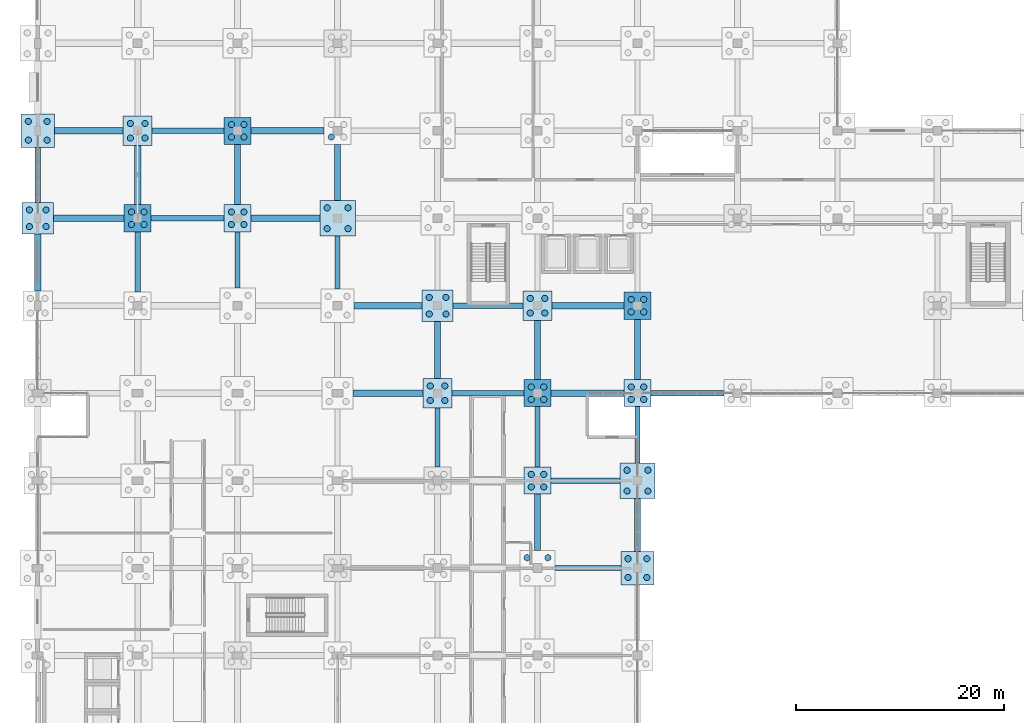
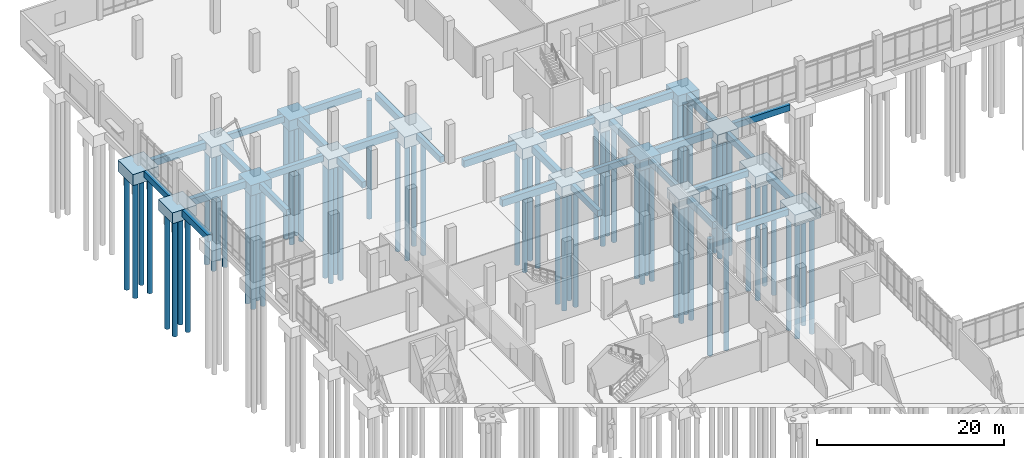
# One storey, part 7 of 136: 67 piles, 47 footings.
"""IFC4 building model written with IfcOpenShell, lengths in metres."""

from ifc_helpers import new_model, si_unit, direction, frame, origin, origin_2d, place, context, subcontext, project, spatial, rectangle, circle, extrude, material, material_profile, profile_set, type_object, element, save


model = new_model("IFC4")

# Units and contexts
model_context = context("Model", 3, precision=1e-05, world=origin(), true_north=direction((0.0, 1.0)))
body_context = subcontext(model_context, "Body", "Model", "MODEL_VIEW")
ifc_project = project(units=[si_unit("LENGTHUNIT", "METRE"), si_unit("AREAUNIT", "SQUARE_METRE"), si_unit("VOLUMEUNIT", "CUBIC_METRE"), si_unit("PLANEANGLEUNIT", "RADIAN"), si_unit("MASSUNIT", "GRAM", prefix="KILO")], contexts=[model_context])

# Site, building, storey
site_placement = place(None, origin())
site = spatial("IfcSite", under=ifc_project, at=site_placement, CompositionType="ELEMENT")
building_placement = place(site_placement, origin())
building = spatial("IfcBuilding", under=site, at=building_placement, Name="Oolite Switchyard Hospital", CompositionType="ELEMENT")
storey_placement = place(building_placement, origin())
storey = spatial("IfcBuildingStorey", under=building, at=storey_placement, Name="L00", CompositionType="ELEMENT", Elevation=0.0)

# Footings
ifc_material = material(Name="Concrete C40/50", Category="concrete")
footing_type_1 = type_object("IfcFootingType", Name="FTG-GB500X800", PredefinedType="FOOTING_BEAM", material=ifc_material)
footing_1_placement = place(storey_placement, frame((52.85009765625, 67.199951171875, -1.14990234375), z_axis=(0.0, 0.0, 1.0), x_axis=(1.0, 0.0, 0.0)))
element("IfcFooting", 1, at=footing_1_placement, inside=storey, type_object=footing_type_1, Name="L00 Grade Beam 116", PredefinedType="FOOTING_BEAM", context=body_context, shape_type="SweptSolid", body=[
    extrude(rectangle(XDim=6.300048828125, YDim=0.5, at=origin_2d()), origin(), (0.0, 0.0, 1.0), 0.800048828125),
])
footing_2_placement = place(storey_placement, frame((52.60009765625, 75.60009765625, -1.14990234375), z_axis=(0.0, 0.0, 1.0), x_axis=(1.0, 0.0, 0.0)))
element("IfcFooting", 2, at=footing_2_placement, inside=storey, type_object=footing_type_1, Name="L00 Grade Beam 132", PredefinedType="FOOTING_BEAM", context=body_context, shape_type="SweptSolid", body=[
    extrude(rectangle(XDim=6.60009765625, YDim=0.5, at=origin_2d()), origin(), (0.0, 0.0, 1.0), 0.800048828125),
])
footing_3_placement = place(storey_placement, frame((43.25, 84.0, -1.14990234375), z_axis=(0.0, 0.0, 1.0), x_axis=(1.0, 0.0, 0.0)))
element("IfcFooting", 3, at=footing_3_placement, inside=storey, type_object=footing_type_1, Name="L00 Grade Beam 146", PredefinedType="FOOTING_BEAM", context=body_context, shape_type="SweptSolid", body=[
    extrude(rectangle(XDim=6.89990234375, YDim=0.5, at=origin_2d()), origin(), (0.0, 0.0, 1.0), 0.800048828125),
])
footing_4_placement = place(storey_placement, frame((62.39990234375, 84.0, -1.14990234375), z_axis=(0.0, 0.0, 1.0), x_axis=(1.0, 0.0, 0.0)))
element("IfcFooting", 4, at=footing_4_placement, inside=storey, type_object=footing_type_1, Name="L00 Grade Beam 148", PredefinedType="FOOTING_BEAM", context=body_context, shape_type="SweptSolid", body=[
    extrude(rectangle(XDim=7.0, YDim=0.5, at=origin_2d()), origin(), (0.0, 0.0, 1.0), 0.800048828125),
])
footing_5_placement = place(storey_placement, frame((43.25, 92.39990234375, -1.14990234375), z_axis=(0.0, 0.0, 1.0), x_axis=(1.0, 0.0, 0.0)))
element("IfcFooting", 5, at=footing_5_placement, inside=storey, type_object=footing_type_1, Name="L00 Grade Beam 164", PredefinedType="FOOTING_BEAM", context=body_context, shape_type="SweptSolid", body=[
    extrude(rectangle(XDim=6.699951171875, YDim=0.5, at=origin_2d()), origin(), (0.0, 0.0, 1.0), 0.800048828125),
])
footing_6_placement = place(storey_placement, frame((14.39990234375, 100.800048828125, -1.14990234375), z_axis=(0.0, 0.0, 1.0), x_axis=(1.0, 0.0, 0.0)))
element("IfcFooting", 6, at=footing_6_placement, inside=storey, type_object=footing_type_1, Name="L00 Grade Beam 176", PredefinedType="FOOTING_BEAM", context=body_context, shape_type="SweptSolid", body=[
    extrude(rectangle(XDim=7.0, YDim=0.5, at=origin_2d()), origin(), (0.0, 0.0, 1.0), 0.800048828125),
])
footing_7_placement = place(storey_placement, frame((14.449951171875, 109.199951171875, -1.14990234375), z_axis=(0.0, 0.0, 1.0), x_axis=(1.0, 0.0, 0.0)))
element("IfcFooting", 7, at=footing_7_placement, inside=storey, type_object=footing_type_1, Name="L00 Grade Beam 198", PredefinedType="FOOTING_BEAM", context=body_context, shape_type="SweptSolid", body=[
    extrude(rectangle(XDim=6.89990234375, YDim=0.5, at=origin_2d()), origin(), (0.0, 0.0, 1.0), 0.800048828125),
])
footing_8_placement = place(storey_placement, frame((0.0, 104.949951171875, -1.14990234375), z_axis=(0.0, 0.0, 1.0), x_axis=(0.0, 1.0, 0.0)))
element("IfcFooting", 8, at=footing_8_placement, inside=storey, type_object=footing_type_1, Name="L00 Grade Beam 277", PredefinedType="FOOTING_BEAM", context=body_context, shape_type="SweptSolid", body=[
    extrude(rectangle(XDim=5.300048828125, YDim=0.5, at=origin_2d()), origin(), (0.0, 0.0, 1.0), 0.800048828125),
])
footing_9_placement = place(storey_placement, frame((9.60009765625, 96.60009765625, -1.14990234375), z_axis=(0.0, 0.0, 1.0), x_axis=(0.0, 1.0, 0.0)))
element("IfcFooting", 9, at=footing_9_placement, inside=storey, type_object=footing_type_1, Name="L00 Grade Beam 291", PredefinedType="FOOTING_BEAM", context=body_context, shape_type="SweptSolid", body=[
    extrude(rectangle(XDim=5.800048828125, YDim=0.5, at=origin_2d()), origin(), (0.0, 0.0, 1.0), 0.800048828125),
])
footing_10_placement = place(storey_placement, frame((19.199951171875, 96.800048828125, -1.14990234375), z_axis=(0.0, 0.0, 1.0), x_axis=(0.0, 1.0, 0.0)))
element("IfcFooting", 10, at=footing_10_placement, inside=storey, type_object=footing_type_1, Name="L00 Grade Beam 307", PredefinedType="FOOTING_BEAM", context=body_context, shape_type="SweptSolid", body=[
    extrude(rectangle(XDim=5.39990234375, YDim=0.5, at=origin_2d()), origin(), (0.0, 0.0, 1.0), 0.800048828125),
])
footing_11_placement = place(storey_placement, frame((28.800048828125, 96.550048828125, -1.14990234375), z_axis=(0.0, 0.0, 1.0), x_axis=(0.0, 1.0, 0.0)))
element("IfcFooting", 11, at=footing_11_placement, inside=storey, type_object=footing_type_1, Name="L00 Grade Beam 323", PredefinedType="FOOTING_BEAM", context=body_context, shape_type="SweptSolid", body=[
    extrude(rectangle(XDim=5.10009765625, YDim=0.5, at=origin_2d()), origin(), (0.0, 0.0, 1.0), 0.800048828125),
])
footing_12_placement = place(storey_placement, frame((38.39990234375, 79.75, -1.14990234375), z_axis=(0.0, 0.0, 1.0), x_axis=(0.0, 1.0, 0.0)))
element("IfcFooting", 12, at=footing_12_placement, inside=storey, type_object=footing_type_1, Name="L00 Grade Beam 337", PredefinedType="FOOTING_BEAM", context=body_context, shape_type="SweptSolid", body=[
    extrude(rectangle(XDim=5.699951171875, YDim=0.5, at=origin_2d()), origin(), (0.0, 0.0, 1.0), 0.800048828125),
])
footing_13_placement = place(storey_placement, frame((48.0, 79.800048828125, -1.14990234375), z_axis=(0.0, 0.0, 1.0), x_axis=(0.0, 1.0, 0.0)))
element("IfcFooting", 13, at=footing_13_placement, inside=storey, type_object=footing_type_1, Name="L00 Grade Beam 353", PredefinedType="FOOTING_BEAM", context=body_context, shape_type="SweptSolid", body=[
    extrude(rectangle(XDim=5.800048828125, YDim=0.5, at=origin_2d()), origin(), (0.0, 0.0, 1.0), 0.800048828125),
])
footing_14_placement = place(storey_placement, frame((57.60009765625, 80.0, -1.14990234375), z_axis=(0.0, 0.0, 1.0), x_axis=(0.0, 1.0, 0.0)))
element("IfcFooting", 14, at=footing_14_placement, inside=storey, type_object=footing_type_1, Name="L00 Grade Beam 369", PredefinedType="FOOTING_BEAM", context=body_context, shape_type="SweptSolid", body=[
    extrude(rectangle(XDim=5.39990234375, YDim=0.5, at=origin_2d()), origin(), (0.0, 0.0, 1.0), 0.800048828125),
])
footing_type_2 = type_object("IfcFootingType", Name="FTG-GB600X900", PredefinedType="FOOTING_BEAM", material=ifc_material)
footing_15_placement = place(storey_placement, frame((33.64990234375, 84.0, -1.25), z_axis=(0.0, 0.0, 1.0), x_axis=(1.0, 0.0, 0.0)))
element("IfcFooting", 15, at=footing_15_placement, inside=storey, type_object=footing_type_2, Name="L00 Grade Beam 145", PredefinedType="FOOTING_BEAM", context=body_context, shape_type="SweptSolid", body=[
    extrude(rectangle(XDim=6.699951171875, YDim=0.60009765625, at=origin_2d()), origin(), (0.0, 0.0, 1.0), 0.89990234375),
])
footing_16_placement = place(storey_placement, frame((52.800048828125, 84.0, -1.25), z_axis=(0.0, 0.0, 1.0), x_axis=(1.0, 0.0, 0.0)))
element("IfcFooting", 16, at=footing_16_placement, inside=storey, type_object=footing_type_2, Name="L00 Grade Beam 147", PredefinedType="FOOTING_BEAM", context=body_context, shape_type="SweptSolid", body=[
    extrude(rectangle(XDim=7.0, YDim=0.60009765625, at=origin_2d()), origin(), (0.0, 0.0, 1.0), 0.89990234375),
])
footing_17_placement = place(storey_placement, frame((33.64990234375, 92.39990234375, -1.25), z_axis=(0.0, 0.0, 1.0), x_axis=(1.0, 0.0, 0.0)))
element("IfcFooting", 17, at=footing_17_placement, inside=storey, type_object=footing_type_2, Name="L00 Grade Beam 163", PredefinedType="FOOTING_BEAM", context=body_context, shape_type="SweptSolid", body=[
    extrude(rectangle(XDim=6.5, YDim=0.60009765625, at=origin_2d()), origin(), (0.0, 0.0, 1.0), 0.89990234375),
])
footing_18_placement = place(storey_placement, frame((52.85009765625, 92.39990234375, -1.25), z_axis=(0.0, 0.0, 1.0), x_axis=(1.0, 0.0, 0.0)))
element("IfcFooting", 18, at=footing_18_placement, inside=storey, type_object=footing_type_2, Name="L00 Grade Beam 165", PredefinedType="FOOTING_BEAM", context=body_context, shape_type="SweptSolid", body=[
    extrude(rectangle(XDim=6.89990234375, YDim=0.60009765625, at=origin_2d()), origin(), (0.0, 0.0, 1.0), 0.89990234375),
])
footing_19_placement = place(storey_placement, frame((4.89990234375, 100.800048828125, -1.25), z_axis=(0.0, 0.0, 1.0), x_axis=(1.0, 0.0, 0.0)))
element("IfcFooting", 19, at=footing_19_placement, inside=storey, type_object=footing_type_2, Name="L00 Grade Beam 175", PredefinedType="FOOTING_BEAM", context=body_context, shape_type="SweptSolid", body=[
    extrude(rectangle(XDim=6.800048828125, YDim=0.60009765625, at=origin_2d()), origin(), (0.0, 0.0, 1.0), 0.89990234375),
])
for number, where, z_axis, x_axis, name in (
    (20, (23.800048828125, 100.800048828125, -1.25), (0.0, 0.0, 1.0), (1.0, 0.0, 0.0), "L00 Grade Beam 177"),
    (21, (4.89990234375, 109.199951171875, -1.25), (0.0, 0.0, 1.0), (1.0, 0.0, 0.0), "L00 Grade Beam 197"),
):
    element("IfcFooting", number, at=place(storey_placement, frame(where, z_axis=z_axis, x_axis=x_axis)), inside=storey, type_object=footing_type_2, Name=name, PredefinedType="FOOTING_BEAM", context=body_context, shape_type="SweptSolid", body=[
        extrude(rectangle(XDim=6.60009765625, YDim=0.60009765625, at=origin_2d()), origin(), (0.0, 0.0, 1.0), 0.89990234375),
    ])
footing_20_placement = place(storey_placement, frame((24.0, 109.199951171875, -1.25), z_axis=(0.0, 0.0, 1.0), x_axis=(1.0, 0.0, 0.0)))
element("IfcFooting", 22, at=footing_20_placement, inside=storey, type_object=footing_type_2, Name="L00 Grade Beam 199", PredefinedType="FOOTING_BEAM", context=body_context, shape_type="SweptSolid", body=[
    extrude(rectangle(XDim=7.0, YDim=0.60009765625, at=origin_2d()), origin(), (0.0, 0.0, 1.0), 0.89990234375),
])
footing_21_placement = place(storey_placement, frame((0.0, 96.550048828125, -1.25), z_axis=(0.0, 0.0, 1.0), x_axis=(0.0, 1.0, 0.0)))
element("IfcFooting", 23, at=footing_21_placement, inside=storey, type_object=footing_type_2, Name="L00 Grade Beam 276", PredefinedType="FOOTING_BEAM", context=body_context, shape_type="SweptSolid", body=[
    extrude(rectangle(XDim=5.5, YDim=0.60009765625, at=origin_2d()), origin(), (0.0, 0.0, 1.0), 0.89990234375),
])
footing_22_placement = place(storey_placement, frame((9.60009765625, 104.949951171875, -1.25), z_axis=(0.0, 0.0, 1.0), x_axis=(0.0, 1.0, 0.0)))
element("IfcFooting", 24, at=footing_22_placement, inside=storey, type_object=footing_type_2, Name="L00 Grade Beam 292", PredefinedType="FOOTING_BEAM", context=body_context, shape_type="SweptSolid", body=[
    extrude(rectangle(XDim=5.699951171875, YDim=0.60009765625, at=origin_2d()), origin(), (0.0, 0.0, 1.0), 0.89990234375),
])
footing_23_placement = place(storey_placement, frame((19.199951171875, 105.0, -1.25), z_axis=(0.0, 0.0, 1.0), x_axis=(0.0, 1.0, 0.0)))
element("IfcFooting", 25, at=footing_23_placement, inside=storey, type_object=footing_type_2, Name="L00 Grade Beam 308", PredefinedType="FOOTING_BEAM", context=body_context, shape_type="SweptSolid", body=[
    extrude(rectangle(XDim=5.800048828125, YDim=0.60009765625, at=origin_2d()), origin(), (0.0, 0.0, 1.0), 0.89990234375),
])
footing_24_placement = place(storey_placement, frame((28.800048828125, 105.199951171875, -1.25), z_axis=(0.0, 0.0, 1.0), x_axis=(0.0, 1.0, 0.0)))
element("IfcFooting", 26, at=footing_24_placement, inside=storey, type_object=footing_type_2, Name="L00 Grade Beam 324", PredefinedType="FOOTING_BEAM", context=body_context, shape_type="SweptSolid", body=[
    extrude(rectangle(XDim=5.39990234375, YDim=0.60009765625, at=origin_2d()), origin(), (0.0, 0.0, 1.0), 0.89990234375),
])
footing_25_placement = place(storey_placement, frame((38.39990234375, 88.14990234375, -1.25), z_axis=(0.0, 0.0, 1.0), x_axis=(0.0, 1.0, 0.0)))
element("IfcFooting", 27, at=footing_25_placement, inside=storey, type_object=footing_type_2, Name="L00 Grade Beam 338", PredefinedType="FOOTING_BEAM", context=body_context, shape_type="SweptSolid", body=[
    extrude(rectangle(XDim=5.5, YDim=0.60009765625, at=origin_2d()), origin(), (0.0, 0.0, 1.0), 0.89990234375),
])
footing_26_placement = place(storey_placement, frame((48.0, 71.60009765625, -1.25), z_axis=(0.0, 0.0, 1.0), x_axis=(0.0, 1.0, 0.0)))
element("IfcFooting", 28, at=footing_26_placement, inside=storey, type_object=footing_type_2, Name="L00 Grade Beam 352", PredefinedType="FOOTING_BEAM", context=body_context, shape_type="SweptSolid", body=[
    extrude(rectangle(XDim=5.39990234375, YDim=0.60009765625, at=origin_2d()), origin(), (0.0, 0.0, 1.0), 0.89990234375),
])
footing_27_placement = place(storey_placement, frame((48.0, 88.14990234375, -1.25), z_axis=(0.0, 0.0, 1.0), x_axis=(0.0, 1.0, 0.0)))
element("IfcFooting", 29, at=footing_27_placement, inside=storey, type_object=footing_type_2, Name="L00 Grade Beam 354", PredefinedType="FOOTING_BEAM", context=body_context, shape_type="SweptSolid", body=[
    extrude(rectangle(XDim=5.699951171875, YDim=0.60009765625, at=origin_2d()), origin(), (0.0, 0.0, 1.0), 0.89990234375),
])
footing_28_placement = place(storey_placement, frame((57.60009765625, 71.35009765625, -1.25), z_axis=(0.0, 0.0, 1.0), x_axis=(0.0, 1.0, 0.0)))
element("IfcFooting", 30, at=footing_28_placement, inside=storey, type_object=footing_type_2, Name="L00 Grade Beam 368", PredefinedType="FOOTING_BEAM", context=body_context, shape_type="SweptSolid", body=[
    extrude(rectangle(XDim=5.10009765625, YDim=0.60009765625, at=origin_2d()), origin(), (0.0, 0.0, 1.0), 0.89990234375),
])
footing_29_placement = place(storey_placement, frame((57.60009765625, 88.199951171875, -1.25), z_axis=(0.0, 0.0, 1.0), x_axis=(0.0, 1.0, 0.0)))
element("IfcFooting", 31, at=footing_29_placement, inside=storey, type_object=footing_type_2, Name="L00 Grade Beam 370", PredefinedType="FOOTING_BEAM", context=body_context, shape_type="SweptSolid", body=[
    extrude(rectangle(XDim=5.800048828125, YDim=0.60009765625, at=origin_2d()), origin(), (0.0, 0.0, 1.0), 0.89990234375),
])
footing_type_3 = type_object("IfcFootingType", Name="FTG-PC24", PredefinedType="PILE_CAP", material=ifc_material)
for number, where, z_axis, x_axis, name in (
    (32, (19.199951171875, 100.800048828125, -1.64990234375), (0.0, 0.0, 1.0), (1.0, 0.0, 0.0), "L00 Multi-Pile Cap 49"),
    (33, (48.0, 75.60009765625, -1.64990234375), (0.0, 0.0, 1.0), (1.0, 0.0, 0.0), "L00 Multi-Pile Cap 97"),
    (34, (57.60009765625, 84.0, -1.64990234375), (0.0, 0.0, 1.0), (1.0, 0.0, 0.0), "L00 Multi-Pile Cap 115"),
):
    element("IfcFooting", number, at=place(storey_placement, frame(where, z_axis=z_axis, x_axis=x_axis)), inside=storey, type_object=footing_type_3, Name=name, PredefinedType="PILE_CAP", context=body_context, shape_type="SweptSolid", body=[
        extrude(rectangle(XDim=2.60009765625, YDim=2.60009765625, at=origin_2d()), origin(), (0.0, 0.0, 1.0), 1.300048828125),
    ])
footing_type_4 = type_object("IfcFootingType", Name="FTG-PC26", PredefinedType="PILE_CAP", material=ifc_material)
for number, where, z_axis, x_axis, name in (
    (35, (9.60009765625, 100.800048828125, -1.699951171875), (0.0, 0.0, 1.0), (1.0, 0.0, 0.0), "L00 Multi-Pile Cap 32"),
    (36, (19.199951171875, 109.199951171875, -1.699951171875), (0.0, 0.0, 1.0), (1.0, 0.0, 0.0), "L00 Multi-Pile Cap 50"),
    (37, (48.0, 84.0, -1.699951171875), (0.0, 0.0, 1.0), (1.0, 0.0, 0.0), "L00 Multi-Pile Cap 98"),
    (38, (57.60009765625, 92.39990234375, -1.699951171875), (0.0, 0.0, 1.0), (1.0, 0.0, 0.0), "L00 Multi-Pile Cap 116"),
):
    element("IfcFooting", number, at=place(storey_placement, frame(where, z_axis=z_axis, x_axis=x_axis)), inside=storey, type_object=footing_type_4, Name=name, PredefinedType="PILE_CAP", context=body_context, shape_type="SweptSolid", body=[
        extrude(rectangle(XDim=2.60009765625, YDim=2.60009765625, at=origin_2d()), origin(), (0.0, 0.0, 1.0), 1.35009765625),
    ])
footing_type_5 = type_object("IfcFootingType", Name="FTG-PC28", PredefinedType="PILE_CAP", material=ifc_material)
for number, where, z_axis, x_axis, name in (
    (39, (9.60009765625, 109.199951171875, -1.75), (0.0, 0.0, 1.0), (1.0, 0.0, 0.0), "L00 Multi-Pile Cap 33"),
    (40, (38.39990234375, 84.0, -1.75), (0.0, 0.0, 1.0), (1.0, 0.0, 0.0), "L00 Multi-Pile Cap 81"),
    (41, (48.0, 92.39990234375, -1.75), (0.0, 0.0, 1.0), (1.0, 0.0, 0.0), "L00 Multi-Pile Cap 99"),
):
    element("IfcFooting", number, at=place(storey_placement, frame(where, z_axis=z_axis, x_axis=x_axis)), inside=storey, type_object=footing_type_5, Name=name, PredefinedType="PILE_CAP", context=body_context, shape_type="SweptSolid", body=[
        extrude(rectangle(XDim=2.800048828125, YDim=2.800048828125, at=origin_2d()), origin(), (0.0, 0.0, 1.0), 1.39990234375),
    ])
footing_type_6 = type_object("IfcFootingType", Name="FTG-PC30", PredefinedType="PILE_CAP", material=ifc_material)
for number, where, z_axis, x_axis, name in (
    (42, (0.0, 100.800048828125, -1.77001953125), (0.0, 0.0, 1.0), (1.0, 0.0, 0.0), "L00 Multi-Pile Cap 16"),
    (43, (38.39990234375, 92.39990234375, -1.77001953125), (0.0, 0.0, 1.0), (1.0, 0.0, 0.0), "L00 Multi-Pile Cap 82"),
):
    element("IfcFooting", number, at=place(storey_placement, frame(where, z_axis=z_axis, x_axis=x_axis)), inside=storey, type_object=footing_type_6, Name=name, PredefinedType="PILE_CAP", context=body_context, shape_type="SweptSolid", body=[
        extrude(rectangle(XDim=3.0, YDim=3.0, at=origin_2d()), origin(), (0.0, 0.0, 1.0), 1.419921875),
    ])
footing_type_7 = type_object("IfcFootingType", Name="FTG-PC32", PredefinedType="PILE_CAP", material=ifc_material)
for number, where, z_axis, x_axis, name in (
    (44, (0.0, 109.199951171875, -1.7998046875), (0.0, 0.0, 1.0), (1.0, 0.0, 0.0), "L00 Multi-Pile Cap 17"),
    (45, (57.60009765625, 67.199951171875, -1.7998046875), (0.0, 0.0, 1.0), (1.0, 0.0, 0.0), "L00 Multi-Pile Cap 113"),
):
    element("IfcFooting", number, at=place(storey_placement, frame(where, z_axis=z_axis, x_axis=x_axis)), inside=storey, type_object=footing_type_7, Name=name, PredefinedType="PILE_CAP", context=body_context, shape_type="SweptSolid", body=[
        extrude(rectangle(XDim=3.199951171875, YDim=3.199951171875, at=origin_2d()), origin(), (0.0, 0.0, 1.0), 1.449951171875),
    ])
footing_type_8 = type_object("IfcFootingType", Name="FTG-PC34", PredefinedType="PILE_CAP", material=ifc_material)
for number, where, z_axis, x_axis, name in (
    (46, (28.800048828125, 100.800048828125, -1.85009765625), (0.0, 0.0, 1.0), (1.0, 0.0, 0.0), "L00 Multi-Pile Cap 66"),
    (47, (57.60009765625, 75.60009765625, -1.85009765625), (0.0, 0.0, 1.0), (1.0, 0.0, 0.0), "L00 Multi-Pile Cap 114"),
):
    element("IfcFooting", number, at=place(storey_placement, frame(where, z_axis=z_axis, x_axis=x_axis)), inside=storey, type_object=footing_type_8, Name=name, PredefinedType="PILE_CAP", context=body_context, shape_type="SweptSolid", body=[
        extrude(rectangle(XDim=3.39990234375, YDim=3.39990234375, at=origin_2d()), origin(), (0.0, 0.0, 1.0), 1.5),
    ])

# Piles
ifc_material_profile = material_profile(ifc_material, circle(Radius=0.300048828125, at=origin_2d()), Name="PILE600")
ifc_profile_set = profile_set([ifc_material_profile], Name="Concrete C40/50")
pile_type = type_object("IfcPileType", Name="PILE-ACIP600", PredefinedType="BORED", material=ifc_profile_set)
for number, where, z_axis, x_axis, name in (
    (48, (-0.800048828125, 100.0, -1.6201171875), (0.0, 0.0, -1.0), (1.0, 0.0, 0.0), "Augercast Pile 61"),
    (49, (0.800048828125, 100.0, -1.6201171875), (0.0, 0.0, -1.0), (1.0, 0.0, 0.0), "Augercast Pile 62"),
    (50, (-0.800048828125, 101.60009765625, -1.6201171875), (0.0, 0.0, -1.0), (1.0, 0.0, 0.0), "Augercast Pile 63"),
    (51, (0.800048828125, 101.60009765625, -1.6201171875), (0.0, 0.0, -1.0), (1.0, 0.0, 0.0), "Augercast Pile 64"),
):
    element("IfcPile", number, at=place(storey_placement, frame(where, z_axis=z_axis, x_axis=x_axis)), inside=storey, type_object=pile_type, Name=name, PredefinedType="BORED", context=body_context, shape_type="SweptSolid", body=[
        extrude(circle(Radius=0.300048828125, at=origin_2d()), origin(), (0.0, 0.0, 1.0), 15.3798828125),
    ])
for number, where, z_axis, x_axis, name in (
    (52, (-0.89990234375, 108.300048828125, -1.64990234375), (0.0, 0.0, -1.0), (1.0, 0.0, 0.0), "Augercast Pile 65"),
    (53, (0.89990234375, 108.300048828125, -1.64990234375), (0.0, 0.0, -1.0), (1.0, 0.0, 0.0), "Augercast Pile 66"),
    (54, (-0.89990234375, 110.10009765625, -1.64990234375), (0.0, 0.0, -1.0), (1.0, 0.0, 0.0), "Augercast Pile 67"),
    (55, (0.89990234375, 110.10009765625, -1.64990234375), (0.0, 0.0, -1.0), (1.0, 0.0, 0.0), "Augercast Pile 68"),
):
    element("IfcPile", number, at=place(storey_placement, frame(where, z_axis=z_axis, x_axis=x_axis)), inside=storey, type_object=pile_type, Name=name, PredefinedType="BORED", context=body_context, shape_type="SweptSolid", body=[
        extrude(circle(Radius=0.300048828125, at=origin_2d()), origin(), (0.0, 0.0, 1.0), 15.35009765625),
    ])
for number, where, z_axis, x_axis, name in (
    (56, (9.0, 100.199951171875, -1.550048828125), (0.0, 0.0, -1.0), (1.0, 0.0, 0.0), "Augercast Pile 125"),
    (57, (10.199951171875, 100.199951171875, -1.550048828125), (0.0, 0.0, -1.0), (1.0, 0.0, 0.0), "Augercast Pile 126"),
    (58, (9.0, 101.39990234375, -1.550048828125), (0.0, 0.0, -1.0), (1.0, 0.0, 0.0), "Augercast Pile 127"),
    (59, (10.199951171875, 101.39990234375, -1.550048828125), (0.0, 0.0, -1.0), (1.0, 0.0, 0.0), "Augercast Pile 128"),
):
    element("IfcPile", number, at=place(storey_placement, frame(where, z_axis=z_axis, x_axis=x_axis)), inside=storey, type_object=pile_type, Name=name, PredefinedType="BORED", context=body_context, shape_type="SweptSolid", body=[
        extrude(circle(Radius=0.300048828125, at=origin_2d()), origin(), (0.0, 0.0, 1.0), 15.449951171875),
    ])
for number, where, z_axis, x_axis, name in (
    (60, (8.89990234375, 108.5, -1.60009765625), (0.0, 0.0, -1.0), (1.0, 0.0, 0.0), "Augercast Pile 129"),
    (61, (10.300048828125, 108.5, -1.60009765625), (0.0, 0.0, -1.0), (1.0, 0.0, 0.0), "Augercast Pile 130"),
    (62, (8.89990234375, 109.89990234375, -1.60009765625), (0.0, 0.0, -1.0), (1.0, 0.0, 0.0), "Augercast Pile 131"),
    (63, (10.300048828125, 109.89990234375, -1.60009765625), (0.0, 0.0, -1.0), (1.0, 0.0, 0.0), "Augercast Pile 132"),
):
    element("IfcPile", number, at=place(storey_placement, frame(where, z_axis=z_axis, x_axis=x_axis)), inside=storey, type_object=pile_type, Name=name, PredefinedType="BORED", context=body_context, shape_type="SweptSolid", body=[
        extrude(circle(Radius=0.300048828125, at=origin_2d()), origin(), (0.0, 0.0, 1.0), 15.39990234375),
    ])
for number, where, z_axis, x_axis, name in (
    (64, (18.60009765625, 100.199951171875, -1.5), (0.0, 0.0, -1.0), (1.0, 0.0, 0.0), "Augercast Pile 193"),
    (65, (19.800048828125, 100.199951171875, -1.5), (0.0, 0.0, -1.0), (1.0, 0.0, 0.0), "Augercast Pile 194"),
    (66, (18.60009765625, 101.39990234375, -1.5), (0.0, 0.0, -1.0), (1.0, 0.0, 0.0), "Augercast Pile 195"),
    (67, (19.800048828125, 101.39990234375, -1.5), (0.0, 0.0, -1.0), (1.0, 0.0, 0.0), "Augercast Pile 196"),
):
    element("IfcPile", number, at=place(storey_placement, frame(where, z_axis=z_axis, x_axis=x_axis)), inside=storey, type_object=pile_type, Name=name, PredefinedType="BORED", context=body_context, shape_type="SweptSolid", body=[
        extrude(circle(Radius=0.300048828125, at=origin_2d()), origin(), (0.0, 0.0, 1.0), 15.5),
    ])
for number, where, z_axis, x_axis, name in (
    (68, (18.60009765625, 108.60009765625, -1.550048828125), (0.0, 0.0, -1.0), (1.0, 0.0, 0.0), "Augercast Pile 197"),
    (69, (19.800048828125, 108.60009765625, -1.550048828125), (0.0, 0.0, -1.0), (1.0, 0.0, 0.0), "Augercast Pile 198"),
    (70, (18.60009765625, 109.800048828125, -1.550048828125), (0.0, 0.0, -1.0), (1.0, 0.0, 0.0), "Augercast Pile 199"),
    (71, (19.800048828125, 109.800048828125, -1.550048828125), (0.0, 0.0, -1.0), (1.0, 0.0, 0.0), "Augercast Pile 200"),
):
    element("IfcPile", number, at=place(storey_placement, frame(where, z_axis=z_axis, x_axis=x_axis)), inside=storey, type_object=pile_type, Name=name, PredefinedType="BORED", context=body_context, shape_type="SweptSolid", body=[
        extrude(circle(Radius=0.300048828125, at=origin_2d()), origin(), (0.0, 0.0, 1.0), 15.449951171875),
    ])
for number, where, z_axis, x_axis, name in (
    (72, (27.800048828125, 99.800048828125, -1.699951171875), (0.0, 0.0, -1.0), (1.0, 0.0, 0.0), "Augercast Pile 261"),
    (73, (29.800048828125, 99.800048828125, -1.699951171875), (0.0, 0.0, -1.0), (1.0, 0.0, 0.0), "Augercast Pile 262"),
    (74, (27.800048828125, 101.800048828125, -1.699951171875), (0.0, 0.0, -1.0), (1.0, 0.0, 0.0), "Augercast Pile 263"),
    (75, (29.800048828125, 101.800048828125, -1.699951171875), (0.0, 0.0, -1.0), (1.0, 0.0, 0.0), "Augercast Pile 264"),
):
    element("IfcPile", number, at=place(storey_placement, frame(where, z_axis=z_axis, x_axis=x_axis)), inside=storey, type_object=pile_type, Name=name, PredefinedType="BORED", context=body_context, shape_type="SweptSolid", body=[
        extrude(circle(Radius=0.300048828125, at=origin_2d()), origin(), (0.0, 0.0, 1.0), 15.300048828125),
    ])
pile_placement = place(storey_placement, frame((28.199951171875, 108.60009765625, -1.5), z_axis=(0.0, 0.0, -1.0), x_axis=(1.0, 0.0, 0.0)))
element("IfcPile", 76, at=pile_placement, inside=storey, type_object=pile_type, Name="Augercast Pile 265", PredefinedType="BORED", context=body_context, shape_type="SweptSolid", body=[
    extrude(circle(Radius=0.300048828125, at=origin_2d()), origin(), (0.0, 0.0, 1.0), 15.5),
])
for number, where, z_axis, x_axis, name in (
    (77, (37.699951171875, 83.300048828125, -1.60009765625), (0.0, 0.0, -1.0), (1.0, 0.0, 0.0), "Augercast Pile 321"),
    (78, (39.10009765625, 83.300048828125, -1.60009765625), (0.0, 0.0, -1.0), (1.0, 0.0, 0.0), "Augercast Pile 322"),
    (79, (37.699951171875, 84.699951171875, -1.60009765625), (0.0, 0.0, -1.0), (1.0, 0.0, 0.0), "Augercast Pile 323"),
    (80, (39.10009765625, 84.699951171875, -1.60009765625), (0.0, 0.0, -1.0), (1.0, 0.0, 0.0), "Augercast Pile 324"),
):
    element("IfcPile", number, at=place(storey_placement, frame(where, z_axis=z_axis, x_axis=x_axis)), inside=storey, type_object=pile_type, Name=name, PredefinedType="BORED", context=body_context, shape_type="SweptSolid", body=[
        extrude(circle(Radius=0.300048828125, at=origin_2d()), origin(), (0.0, 0.0, 1.0), 15.39990234375),
    ])
for number, where, z_axis, x_axis, name in (
    (81, (37.60009765625, 91.60009765625, -1.6201171875), (0.0, 0.0, -1.0), (1.0, 0.0, 0.0), "Augercast Pile 325"),
    (82, (39.199951171875, 91.60009765625, -1.6201171875), (0.0, 0.0, -1.0), (1.0, 0.0, 0.0), "Augercast Pile 326"),
    (83, (37.60009765625, 93.199951171875, -1.6201171875), (0.0, 0.0, -1.0), (1.0, 0.0, 0.0), "Augercast Pile 327"),
    (84, (39.199951171875, 93.199951171875, -1.6201171875), (0.0, 0.0, -1.0), (1.0, 0.0, 0.0), "Augercast Pile 328"),
):
    element("IfcPile", number, at=place(storey_placement, frame(where, z_axis=z_axis, x_axis=x_axis)), inside=storey, type_object=pile_type, Name=name, PredefinedType="BORED", context=body_context, shape_type="SweptSolid", body=[
        extrude(circle(Radius=0.300048828125, at=origin_2d()), origin(), (0.0, 0.0, 1.0), 15.3798828125),
    ])
for number, where, z_axis, x_axis, name in (
    (85, (47.0, 68.199951171875, -1.699951171875), (0.0, 0.0, -1.0), (1.0, 0.0, 0.0), "Augercast Pile 383"),
    (86, (49.0, 68.199951171875, -1.699951171875), (0.0, 0.0, -1.0), (1.0, 0.0, 0.0), "Augercast Pile 384"),
):
    element("IfcPile", number, at=place(storey_placement, frame(where, z_axis=z_axis, x_axis=x_axis)), inside=storey, type_object=pile_type, Name=name, PredefinedType="BORED", context=body_context, shape_type="SweptSolid", body=[
        extrude(circle(Radius=0.300048828125, at=origin_2d()), origin(), (0.0, 0.0, 1.0), 15.300048828125),
    ])
for number, where, z_axis, x_axis, name in (
    (87, (47.39990234375, 75.0, -1.5), (0.0, 0.0, -1.0), (1.0, 0.0, 0.0), "Augercast Pile 385"),
    (88, (48.60009765625, 75.0, -1.5), (0.0, 0.0, -1.0), (1.0, 0.0, 0.0), "Augercast Pile 386"),
    (89, (47.39990234375, 76.199951171875, -1.5), (0.0, 0.0, -1.0), (1.0, 0.0, 0.0), "Augercast Pile 387"),
    (90, (48.60009765625, 76.199951171875, -1.5), (0.0, 0.0, -1.0), (1.0, 0.0, 0.0), "Augercast Pile 388"),
):
    element("IfcPile", number, at=place(storey_placement, frame(where, z_axis=z_axis, x_axis=x_axis)), inside=storey, type_object=pile_type, Name=name, PredefinedType="BORED", context=body_context, shape_type="SweptSolid", body=[
        extrude(circle(Radius=0.300048828125, at=origin_2d()), origin(), (0.0, 0.0, 1.0), 15.5),
    ])
for number, where, z_axis, x_axis, name in (
    (91, (47.39990234375, 83.39990234375, -1.550048828125), (0.0, 0.0, -1.0), (1.0, 0.0, 0.0), "Augercast Pile 389"),
    (92, (48.60009765625, 83.39990234375, -1.550048828125), (0.0, 0.0, -1.0), (1.0, 0.0, 0.0), "Augercast Pile 390"),
    (93, (47.39990234375, 84.60009765625, -1.550048828125), (0.0, 0.0, -1.0), (1.0, 0.0, 0.0), "Augercast Pile 391"),
    (94, (48.60009765625, 84.60009765625, -1.550048828125), (0.0, 0.0, -1.0), (1.0, 0.0, 0.0), "Augercast Pile 392"),
):
    element("IfcPile", number, at=place(storey_placement, frame(where, z_axis=z_axis, x_axis=x_axis)), inside=storey, type_object=pile_type, Name=name, PredefinedType="BORED", context=body_context, shape_type="SweptSolid", body=[
        extrude(circle(Radius=0.300048828125, at=origin_2d()), origin(), (0.0, 0.0, 1.0), 15.449951171875),
    ])
for number, where, z_axis, x_axis, name in (
    (95, (47.300048828125, 91.699951171875, -1.60009765625), (0.0, 0.0, -1.0), (1.0, 0.0, 0.0), "Augercast Pile 393"),
    (96, (48.699951171875, 91.699951171875, -1.60009765625), (0.0, 0.0, -1.0), (1.0, 0.0, 0.0), "Augercast Pile 394"),
    (97, (47.300048828125, 93.10009765625, -1.60009765625), (0.0, 0.0, -1.0), (1.0, 0.0, 0.0), "Augercast Pile 395"),
    (98, (48.699951171875, 93.10009765625, -1.60009765625), (0.0, 0.0, -1.0), (1.0, 0.0, 0.0), "Augercast Pile 396"),
):
    element("IfcPile", number, at=place(storey_placement, frame(where, z_axis=z_axis, x_axis=x_axis)), inside=storey, type_object=pile_type, Name=name, PredefinedType="BORED", context=body_context, shape_type="SweptSolid", body=[
        extrude(circle(Radius=0.300048828125, at=origin_2d()), origin(), (0.0, 0.0, 1.0), 15.39990234375),
    ])
for number, where, z_axis, x_axis, name in (
    (99, (56.699951171875, 66.300048828125, -1.64990234375), (0.0, 0.0, -1.0), (1.0, 0.0, 0.0), "Augercast Pile 449"),
    (100, (58.5, 66.300048828125, -1.64990234375), (0.0, 0.0, -1.0), (1.0, 0.0, 0.0), "Augercast Pile 450"),
    (101, (56.699951171875, 68.10009765625, -1.64990234375), (0.0, 0.0, -1.0), (1.0, 0.0, 0.0), "Augercast Pile 451"),
    (102, (58.5, 68.10009765625, -1.64990234375), (0.0, 0.0, -1.0), (1.0, 0.0, 0.0), "Augercast Pile 452"),
):
    element("IfcPile", number, at=place(storey_placement, frame(where, z_axis=z_axis, x_axis=x_axis)), inside=storey, type_object=pile_type, Name=name, PredefinedType="BORED", context=body_context, shape_type="SweptSolid", body=[
        extrude(circle(Radius=0.300048828125, at=origin_2d()), origin(), (0.0, 0.0, 1.0), 15.35009765625),
    ])
for number, where, z_axis, x_axis, name in (
    (103, (56.60009765625, 74.60009765625, -1.699951171875), (0.0, 0.0, -1.0), (1.0, 0.0, 0.0), "Augercast Pile 453"),
    (104, (58.60009765625, 74.60009765625, -1.699951171875), (0.0, 0.0, -1.0), (1.0, 0.0, 0.0), "Augercast Pile 454"),
    (105, (56.60009765625, 76.60009765625, -1.699951171875), (0.0, 0.0, -1.0), (1.0, 0.0, 0.0), "Augercast Pile 455"),
    (106, (58.60009765625, 76.60009765625, -1.699951171875), (0.0, 0.0, -1.0), (1.0, 0.0, 0.0), "Augercast Pile 456"),
):
    element("IfcPile", number, at=place(storey_placement, frame(where, z_axis=z_axis, x_axis=x_axis)), inside=storey, type_object=pile_type, Name=name, PredefinedType="BORED", context=body_context, shape_type="SweptSolid", body=[
        extrude(circle(Radius=0.300048828125, at=origin_2d()), origin(), (0.0, 0.0, 1.0), 15.300048828125),
    ])
for number, where, z_axis, x_axis, name in (
    (107, (57.0, 83.39990234375, -1.5), (0.0, 0.0, -1.0), (1.0, 0.0, 0.0), "Augercast Pile 457"),
    (108, (58.199951171875, 83.39990234375, -1.5), (0.0, 0.0, -1.0), (1.0, 0.0, 0.0), "Augercast Pile 458"),
    (109, (57.0, 84.60009765625, -1.5), (0.0, 0.0, -1.0), (1.0, 0.0, 0.0), "Augercast Pile 459"),
    (110, (58.199951171875, 84.60009765625, -1.5), (0.0, 0.0, -1.0), (1.0, 0.0, 0.0), "Augercast Pile 460"),
):
    element("IfcPile", number, at=place(storey_placement, frame(where, z_axis=z_axis, x_axis=x_axis)), inside=storey, type_object=pile_type, Name=name, PredefinedType="BORED", context=body_context, shape_type="SweptSolid", body=[
        extrude(circle(Radius=0.300048828125, at=origin_2d()), origin(), (0.0, 0.0, 1.0), 15.5),
    ])
for number, where, z_axis, x_axis, name in (
    (111, (57.0, 91.800048828125, -1.550048828125), (0.0, 0.0, -1.0), (1.0, 0.0, 0.0), "Augercast Pile 461"),
    (112, (58.199951171875, 91.800048828125, -1.550048828125), (0.0, 0.0, -1.0), (1.0, 0.0, 0.0), "Augercast Pile 462"),
    (113, (57.0, 93.0, -1.550048828125), (0.0, 0.0, -1.0), (1.0, 0.0, 0.0), "Augercast Pile 463"),
    (114, (58.199951171875, 93.0, -1.550048828125), (0.0, 0.0, -1.0), (1.0, 0.0, 0.0), "Augercast Pile 464"),
):
    element("IfcPile", number, at=place(storey_placement, frame(where, z_axis=z_axis, x_axis=x_axis)), inside=storey, type_object=pile_type, Name=name, PredefinedType="BORED", context=body_context, shape_type="SweptSolid", body=[
        extrude(circle(Radius=0.300048828125, at=origin_2d()), origin(), (0.0, 0.0, 1.0), 15.449951171875),
    ])

save(model, "model.ifc")
